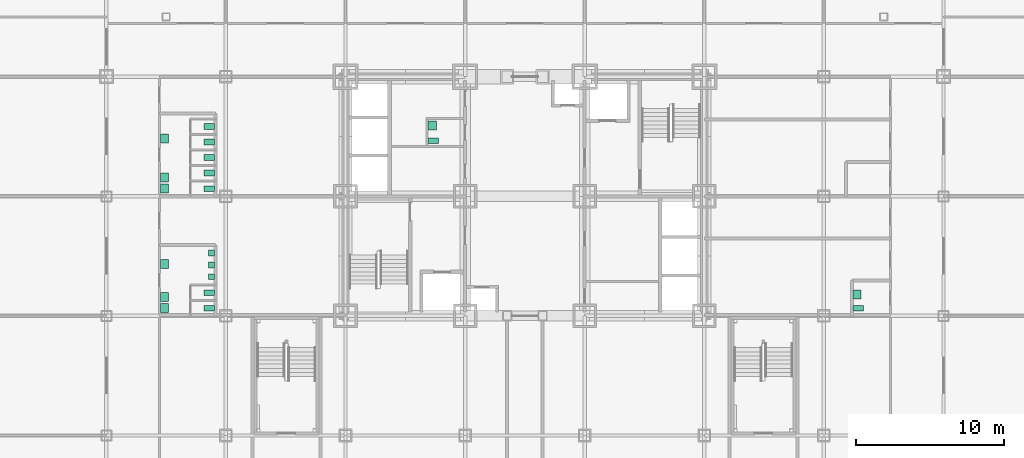
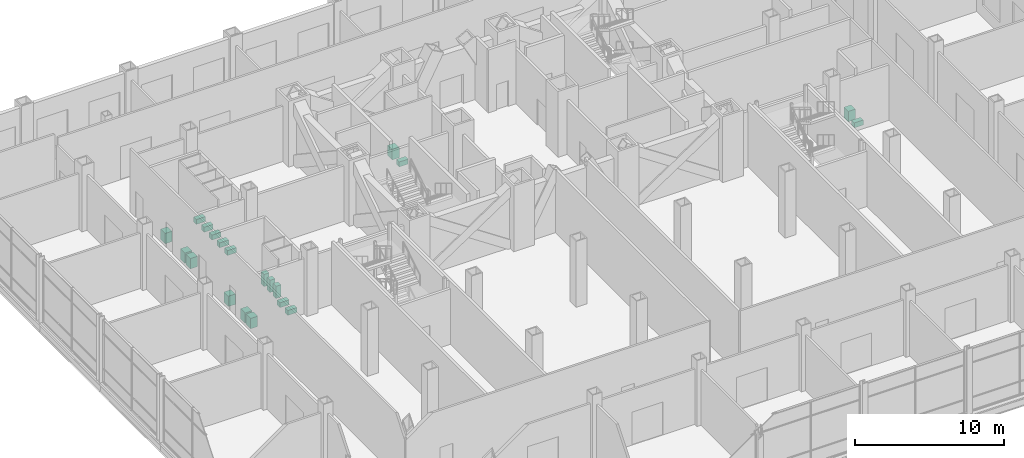
# One storey, part 30 of 30: 20 sanitary terminals.
"""IFC4 building model written with IfcOpenShell, lengths in metres."""

import ifcopenshell
import ifcopenshell.guid

model = None  # the IFC model being written
_history = None  # IfcOwnerHistory: only IFC2X3 demands one
_inside = {}  # id of a spatial element -> (the spatial element, [elements in it])
_under = {}  # id of a project, library or spatial element -> (it, [spatial elements below it])
_declared = {}  # id of a project -> (the project, [libraries it declares])
_typed = {}  # id of a type object -> (the type object, [elements of that type])
_made_of = {}  # id of a material, layer set ... -> (it, [elements and type objects made of it])


def new_model(schema):
    """Start an empty IFC model of exactly this schema.

    Asked for "IFC4X3", IfcOpenShell would pick the latest addendum, in which some entities
    have other attributes; the version numbers below select the first issue.
    IFC2X3 requires an IfcOwnerHistory on every rooted entity: one is made here for all.
    """
    global model, _history
    if schema == "IFC4X3":
        model = ifcopenshell.file(schema_version=(4, 3, 0, 0))
    else:
        model = ifcopenshell.file(schema=schema)
    _inside.clear()
    _under.clear()
    _declared.clear()
    _typed.clear()
    _made_of.clear()
    _history = None
    if model.schema == "IFC2X3":
        org = make("IfcOrganization", Name="unknown")
        user = make(
            "IfcPersonAndOrganization",
            ThePerson=make("IfcPerson", FamilyName="unknown"),
            TheOrganization=org,
        )
        app = make(
            "IfcApplication",
            ApplicationDeveloper=org,
            Version="unknown",
            ApplicationFullName="unknown",
            ApplicationIdentifier="unknown",
        )
        _history = make(
            "IfcOwnerHistory",
            OwningUser=user,
            OwningApplication=app,
            ChangeAction="ADDED",
            CreationDate=0,
        )
    return model


def make(cls, **values):
    """One entity of the class cls with the attributes given. An attribute that is None is left unset."""
    return model.create_entity(
        cls, **{name: value for name, value in values.items() if value is not None}
    )


def rooted(cls, **values):
    """An entity with a GlobalId (a new one), such as an element, a storey or a relation."""
    return make(cls, GlobalId=ifcopenshell.guid.new(), OwnerHistory=_history, **values)


def si_unit(unit_type, name, prefix=None):
    """IfcSIUnit, for example si_unit("LENGTHUNIT", "METRE", prefix="MILLI")."""
    return make("IfcSIUnit", UnitType=unit_type, Prefix=prefix, Name=name)


def assignment(units):
    """IfcUnitAssignment: the units of a project."""
    return None if units is None else make("IfcUnitAssignment", Units=units)


def point(xyz):
    """IfcCartesianPoint."""
    return None if xyz is None else make("IfcCartesianPoint", Coordinates=xyz)


def direction(xyz):
    """IfcDirection."""
    return None if xyz is None else make("IfcDirection", DirectionRatios=xyz)


def frame(location, z_axis=None, x_axis=None):
    """IfcAxis2Placement3D, a coordinate frame: its origin and axes. An axis left out is left unset."""
    return make(
        "IfcAxis2Placement3D",
        Location=point(location),
        Axis=direction(z_axis),
        RefDirection=direction(x_axis),
    )


def frame_2d(location, x_axis=None):
    """IfcAxis2Placement2D, a coordinate frame in the plane: its origin and x axis."""
    return make(
        "IfcAxis2Placement2D", Location=point(location), RefDirection=direction(x_axis)
    )


def origin():
    """The frame at (0, 0, 0) with its axes left unset."""
    return frame((0.0, 0.0, 0.0))


def origin_2d():
    """The frame at (0, 0) in the plane with its x axis left unset."""
    return frame_2d((0.0, 0.0))


def place(relative_to, where):
    """IfcLocalPlacement: puts the frame where relative to a parent placement (None: the world)."""
    return make(
        "IfcLocalPlacement", PlacementRelTo=relative_to, RelativePlacement=where
    )


def context(
    kind, dimensions, precision=None, world=None, true_north=None, identifier=None
):
    """IfcGeometricRepresentationContext, for example the 3D "Model" context."""
    return make(
        "IfcGeometricRepresentationContext",
        ContextIdentifier=identifier,
        ContextType=kind,
        CoordinateSpaceDimension=dimensions,
        Precision=precision,
        WorldCoordinateSystem=world,
        TrueNorth=true_north,
    )


def subcontext(parent, identifier, kind, view, scale=None):
    """IfcGeometricRepresentationSubContext, for example "Body" below "Model"."""
    return make(
        "IfcGeometricRepresentationSubContext",
        ContextIdentifier=identifier,
        ContextType=kind,
        ParentContext=parent,
        TargetScale=scale,
        TargetView=view,
    )


def project(units=None, contexts=None):
    """IfcProject with its units and contexts."""
    return rooted(
        "IfcProject",
        Name="project",
        RepresentationContexts=contexts,
        UnitsInContext=assignment(units),
    )


def spatial(cls, under=None, at=None, **own):
    """A site, building, storey or space (cls), placed at a placement, below another one or the project."""
    s = rooted(cls, ObjectPlacement=at, **own)
    if under is not None:
        _under.setdefault(under.id(), (under, []))[1].append(s)
    return s


def profile(cls, at=None, kind="AREA", **sizes):
    """A parametric profile (cls). Its sizes go by their IFC names, for example OverallWidth=200.0."""
    return make(cls, ProfileType=kind, Position=at, **sizes)


def rectangle(**sizes):
    """IfcRectangleProfileDef."""
    return profile("IfcRectangleProfileDef", **sizes)


def extrude(swept, where, along, depth):
    """IfcExtrudedAreaSolid: the profile swept, set in the frame where, extruded along a direction by depth."""
    return make(
        "IfcExtrudedAreaSolid",
        SweptArea=swept,
        Position=where,
        ExtrudedDirection=direction(along),
        Depth=depth,
    )


def shape(context_of_items, identifier, shape_type, items):
    """IfcShapeRepresentation: the items that make up one representation, for example the "Body"."""
    return make(
        "IfcShapeRepresentation",
        ContextOfItems=context_of_items,
        RepresentationIdentifier=identifier,
        RepresentationType=shape_type,
        Items=items,
    )


def material(Name=None, Category=None):
    """IfcMaterial."""
    return make("IfcMaterial", Name=Name, Category=Category)


def made_of(thing, what):
    """Note that an element or type object is made of a material, layer set ...; save() writes the relation."""
    if what is not None:
        _made_of.setdefault(what.id(), (what, []))[1].append(thing)
    return thing


def element(
    cls,
    number,
    at=None,
    inside=None,
    cuts=None,
    type_object=None,
    material=None,
    context=None,
    identifier="Body",
    shape_type=None,
    held_by="IfcProductDefinitionShape",
    body=None,
    shapes=None,
    **own,
):
    """One element of the class cls, such as IfcWall. Its Tag is "e" and its number.

    at: its placement. inside: the storey or other place that contains it. cuts: it is an
    opening in that element (IfcRelVoidsElement). A single representation is given by context,
    identifier, shape_type and body (its items); several are given by shapes. held_by: the class
    of the entity that holds the representations. save() writes the other relations.
    """
    e = rooted(cls, Tag="e%d" % number, ObjectPlacement=at, **own)
    if body is not None:
        shapes = [shape(context, identifier, shape_type, body)]
    if shapes is not None:
        e.Representation = make(held_by, Representations=shapes)
    if inside is not None:
        _inside.setdefault(inside.id(), (inside, []))[1].append(e)
    if cuts is not None:
        rooted(
            "IfcRelVoidsElement", RelatingBuildingElement=cuts, RelatedOpeningElement=e
        )
    if type_object is not None:
        _typed.setdefault(type_object.id(), (type_object, []))[1].append(e)
    return made_of(e, material)


def aggregate(whole, parts):
    """IfcRelAggregates: a whole, such as a stair, and the parts it consists of."""
    return rooted("IfcRelAggregates", RelatingObject=whole, RelatedObjects=parts)


def save(model, path):
    """Write the relations noted so far, then the file.

    IfcRelAggregates (storeys below a building ...), IfcRelContainedInSpatialStructure (elements
    in a storey), IfcRelDefinesByType, IfcRelAssociatesMaterial and IfcRelDeclares: one each for
    every whole, place, type object, material and project.
    """
    for whole, parts in _under.values():
        aggregate(whole, parts)
    for where, things in _inside.values():
        rooted(
            "IfcRelContainedInSpatialStructure",
            RelatedElements=things,
            RelatingStructure=where,
        )
    for kind, things in _typed.values():
        rooted("IfcRelDefinesByType", RelatedObjects=things, RelatingType=kind)
    for what, things in _made_of.values():
        rooted("IfcRelAssociatesMaterial", RelatedObjects=things, RelatingMaterial=what)
    for by, libraries in _declared.values():
        rooted("IfcRelDeclares", RelatingContext=by, RelatedDefinitions=libraries)
    model.write(path)


model = new_model("IFC4")

# Units and contexts
model_context = context("Model", 3, precision=1e-05, world=origin(), true_north=direction((0.0, 1.0)))
body_context = subcontext(model_context, "Body", "Model", "MODEL_VIEW")
ifc_project = project(units=[si_unit("LENGTHUNIT", "METRE"), si_unit("AREAUNIT", "SQUARE_METRE"), si_unit("VOLUMEUNIT", "CUBIC_METRE"), si_unit("PLANEANGLEUNIT", "RADIAN"), si_unit("MASSUNIT", "GRAM", prefix="KILO")], contexts=[model_context])

# Site, building, storey
site_placement = place(None, origin())
site = spatial("IfcSite", under=ifc_project, at=site_placement, CompositionType="ELEMENT")
building_placement = place(site_placement, origin())
building = spatial("IfcBuilding", under=site, at=building_placement, Name="Kopane Lantern Tower", CompositionType="ELEMENT")
storey_placement = place(building_placement, frame((0.0, 0.0, 6.0)))
storey = spatial("IfcBuildingStorey", under=building, at=storey_placement, Name="L01", CompositionType="ELEMENT", Elevation=6.0)

# Sanitary terminals
ifc_material = material(Name="Vitreous china")
for number, where, z_axis, x_axis, name in (
    (1, (6.97509765625, 24.824951171875, 0.0), (0.0, 0.0, 1.0), (1.0, 0.0, 0.0), "WC pan L01"),
    (2, (6.97509765625, 25.875, 0.0), (0.0, 0.0, 1.0), (1.0, 0.0, 0.0), "WC pan L01"),
):
    element("IfcSanitaryTerminal", number, at=place(storey_placement, frame(where, z_axis=z_axis, x_axis=x_axis)), inside=storey, material=ifc_material, Name=name, PredefinedType="TOILETPAN", context=body_context, shape_type="SweptSolid", body=[
        extrude(rectangle(XDim=0.699951171875, YDim=0.3798828125, at=origin_2d()), origin(), (0.0, 0.0, 1.0), 0.39990234375),
    ])
for number, where, z_axis, x_axis, name in (
    (3, (7.125, 26.949951171875, 0.0), (0.0, 0.0, 1.0), (1.0, 0.0, 0.0), "Urinal L01"),
    (4, (7.125, 27.75, 0.0), (0.0, 0.0, 1.0), (1.0, 0.0, 0.0), "Urinal L01"),
    (5, (7.125, 28.550048828125, 0.0), (0.0, 0.0, 1.0), (1.0, 0.0, 0.0), "Urinal L01"),
):
    element("IfcSanitaryTerminal", number, at=place(storey_placement, frame(where, z_axis=z_axis, x_axis=x_axis)), inside=storey, material=ifc_material, Name=name, PredefinedType="URINAL", context=body_context, shape_type="SweptSolid", body=[
        extrude(rectangle(XDim=0.39990234375, YDim=0.39990234375, at=origin_2d()), origin(), (0.0, 0.0, 1.0), 1.0),
    ])
for number, where, z_axis, x_axis, name in (
    (6, (3.949951171875, 24.824951171875, 0.0), (0.0, 0.0, 1.0), (1.0, 0.0, 0.0), "Wash basin L01"),
    (7, (3.949951171875, 25.574951171875, 0.0), (0.0, 0.0, 1.0), (1.0, 0.0, 0.0), "Wash basin L01"),
    (8, (3.949951171875, 27.824951171875, 0.0), (0.0, 0.0, 1.0), (1.0, 0.0, 0.0), "Wash basin L01"),
):
    element("IfcSanitaryTerminal", number, at=place(storey_placement, frame(where, z_axis=z_axis, x_axis=x_axis)), inside=storey, material=ifc_material, Name=name, PredefinedType="WASHHANDBASIN", context=body_context, shape_type="SweptSolid", body=[
        extrude(rectangle(XDim=0.550048828125, YDim=0.60009765625, at=origin_2d()), origin(), (0.0, 0.0, 1.0), 0.85009765625),
    ])
for number, where, z_axis, x_axis, name in (
    (9, (6.97509765625, 32.925048828125, 0.0), (0.0, 0.0, 1.0), (1.0, 0.0, 0.0), "WC pan L01"),
    (10, (6.97509765625, 33.97509765625, 0.0), (0.0, 0.0, 1.0), (1.0, 0.0, 0.0), "WC pan L01"),
    (11, (6.97509765625, 35.02490234375, 0.0), (0.0, 0.0, 1.0), (1.0, 0.0, 0.0), "WC pan L01"),
    (12, (6.97509765625, 36.074951171875, 0.0), (0.0, 0.0, 1.0), (1.0, 0.0, 0.0), "WC pan L01"),
    (13, (6.97509765625, 37.125, 0.0), (0.0, 0.0, 1.0), (1.0, 0.0, 0.0), "WC pan L01"),
):
    element("IfcSanitaryTerminal", number, at=place(storey_placement, frame(where, z_axis=z_axis, x_axis=x_axis)), inside=storey, material=ifc_material, Name=name, PredefinedType="TOILETPAN", context=body_context, shape_type="SweptSolid", body=[
        extrude(rectangle(XDim=0.699951171875, YDim=0.3798828125, at=origin_2d()), origin(), (0.0, 0.0, 1.0), 0.39990234375),
    ])
for number, where, z_axis, x_axis, name in (
    (14, (3.949951171875, 32.925048828125, 0.0), (0.0, 0.0, 1.0), (1.0, 0.0, 0.0), "Wash basin L01"),
    (15, (3.949951171875, 33.675048828125, 0.0), (0.0, 0.0, 1.0), (1.0, 0.0, 0.0), "Wash basin L01"),
    (16, (3.949951171875, 36.324951171875, 0.0), (0.0, 0.0, 1.0), (1.0, 0.0, 0.0), "Wash basin L01"),
):
    element("IfcSanitaryTerminal", number, at=place(storey_placement, frame(where, z_axis=z_axis, x_axis=x_axis)), inside=storey, material=ifc_material, Name=name, PredefinedType="WASHHANDBASIN", context=body_context, shape_type="SweptSolid", body=[
        extrude(rectangle(XDim=0.550048828125, YDim=0.60009765625, at=origin_2d()), origin(), (0.0, 0.0, 1.0), 0.85009765625),
    ])
sanitary_terminal_1_placement = place(storey_placement, frame((50.925048828125, 24.824951171875, 0.0), z_axis=(0.0, 0.0, 1.0), x_axis=(1.0, 0.0, 0.0)))
element("IfcSanitaryTerminal", 17, at=sanitary_terminal_1_placement, inside=storey, material=ifc_material, Name="WC pan L01", PredefinedType="TOILETPAN", context=body_context, shape_type="SweptSolid", body=[
    extrude(rectangle(XDim=0.699951171875, YDim=0.3798828125, at=origin_2d()), origin(), (0.0, 0.0, 1.0), 0.39990234375),
])
sanitary_terminal_2_placement = place(storey_placement, frame((50.85009765625, 25.75, 0.0), z_axis=(0.0, 0.0, 1.0), x_axis=(1.0, 0.0, 0.0)))
element("IfcSanitaryTerminal", 18, at=sanitary_terminal_2_placement, inside=storey, material=ifc_material, Name="Wash basin L01", PredefinedType="WASHHANDBASIN", context=body_context, shape_type="SweptSolid", body=[
    extrude(rectangle(XDim=0.550048828125, YDim=0.60009765625, at=origin_2d()), origin(), (0.0, 0.0, 1.0), 0.85009765625),
])
sanitary_terminal_3_placement = place(storey_placement, frame((22.14990234375, 36.14990234375, 0.0), z_axis=(0.0, 0.0, 1.0), x_axis=(1.0, 0.0, 0.0)))
element("IfcSanitaryTerminal", 19, at=sanitary_terminal_3_placement, inside=storey, material=ifc_material, Name="WC pan L01", PredefinedType="TOILETPAN", context=body_context, shape_type="SweptSolid", body=[
    extrude(rectangle(XDim=0.699951171875, YDim=0.3798828125, at=origin_2d()), origin(), (0.0, 0.0, 1.0), 0.39990234375),
])
sanitary_terminal_4_placement = place(storey_placement, frame((22.074951171875, 37.199951171875, 0.0), z_axis=(0.0, 0.0, 1.0), x_axis=(1.0, 0.0, 0.0)))
element("IfcSanitaryTerminal", 20, at=sanitary_terminal_4_placement, inside=storey, material=ifc_material, Name="Wash basin L01", PredefinedType="WASHHANDBASIN", context=body_context, shape_type="SweptSolid", body=[
    extrude(rectangle(XDim=0.550048828125, YDim=0.60009765625, at=origin_2d()), origin(), (0.0, 0.0, 1.0), 0.85009765625),
])

save(model, "model.ifc")
